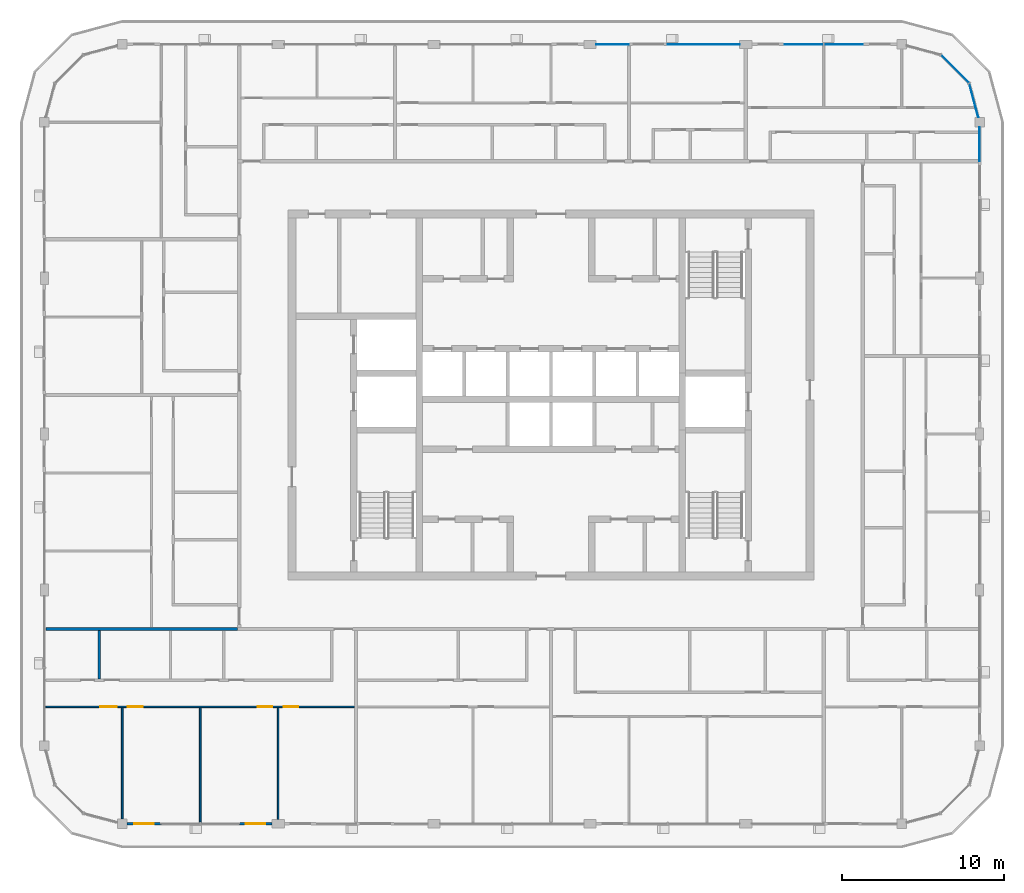
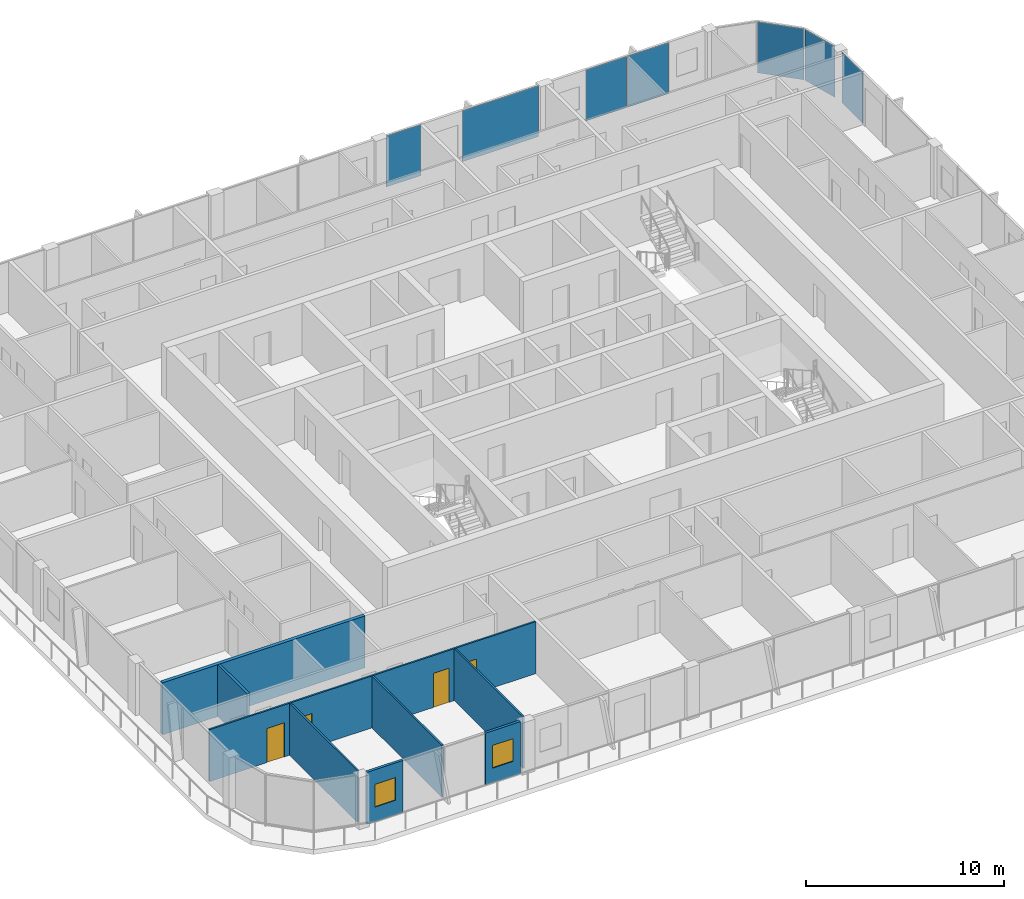
# One storey, part 8 of 21: 8 walls, 7 plates, 4 doors, 2 windows, 6 openings, 4 elements without a shape of their own.
"""IFC4 building model written with IfcOpenShell, lengths in metres."""

from ifc_helpers import new_model, si_unit, direction, frame, frame_2d, origin, origin_2d, place, context, subcontext, project, spatial, rectangle, extrude, material, layer, layer_set, type_object, element, fill, aggregate, save


model = new_model("IFC4")

# Units and contexts
model_context = context("Model", 3, precision=1e-05, world=origin(), true_north=direction((0.0, 1.0)))
body_context = subcontext(model_context, "Body", "Model", "MODEL_VIEW")
ifc_project = project(units=[si_unit("LENGTHUNIT", "METRE"), si_unit("AREAUNIT", "SQUARE_METRE"), si_unit("VOLUMEUNIT", "CUBIC_METRE"), si_unit("PLANEANGLEUNIT", "RADIAN"), si_unit("MASSUNIT", "GRAM", prefix="KILO")], contexts=[model_context])

# Site, building, storey
site_placement = place(None, origin())
site = spatial("IfcSite", under=ifc_project, at=site_placement, CompositionType="ELEMENT")
building_placement = place(site_placement, origin())
building = spatial("IfcBuilding", under=site, at=building_placement, Name="Madar Terraces", CompositionType="ELEMENT")
storey_placement = place(building_placement, frame((0.0, 0.0, 272.10009765625)))
storey = spatial("IfcBuildingStorey", under=building, at=storey_placement, Name="L71", CompositionType="ELEMENT", Elevation=272.10009765625)

# Curtain wall, plate
ifc_material_1 = material(Name="Glass, ceramic frit dark grey, with black aluminium frame", Category="aluminium")
ifc_layer_1 = layer(ifc_material_1, 0.199951171875)
ifc_layer_set_1 = layer_set([ifc_layer_1], Name="Facade curtain wall, fritted glass")
curtain_wall_type = type_object("IfcCurtainWallType", Name="Facade curtain wall, fritted glass", PredefinedType="NOTDEFINED", material=ifc_layer_set_1)
curtain_wall_1_placement = place(storey_placement, origin())
curtain_wall_1 = element("IfcCurtainWall", 1, at=curtain_wall_1_placement, inside=storey, type_object=curtain_wall_type, Name="Outer skin curtain wall east bay 4", PredefinedType="NOTDEFINED")
ifc_material_2 = material(Name="Glass, ceramic frit dark grey", Category="glass")
ifc_layer_2 = layer(ifc_material_2, 0.028076171875)
ifc_layer_set_2 = layer_set([ifc_layer_2], Name="Facade glass panel 28")
plate_type = type_object("IfcPlateType", Name="Facade glass panel 28", PredefinedType="CURTAIN_PANEL", material=ifc_layer_set_2)
plate_1_placement = place(storey_placement, frame((57.60009765625, 41.85009765625, 0.0), z_axis=(0.0, 0.0, 1.0), x_axis=(0.0, 1.0, 0.0)))
plate_1 = element("IfcPlate", 2, at=plate_1_placement, type_object=plate_type, Name="Panel 2", PredefinedType="CURTAIN_PANEL", context=body_context, shape_type="SweptSolid", body=[
    extrude(rectangle(XDim=2.10009765625, YDim=0.028076171875, at=origin_2d()), origin(), (0.0, 0.0, 1.0), 3.139892578125),
])
aggregate(curtain_wall_1, [plate_1])

# Curtain wall, plates
curtain_wall_2_placement = place(storey_placement, origin())
curtain_wall_2 = element("IfcCurtainWall", 3, at=curtain_wall_2_placement, inside=storey, type_object=curtain_wall_type, Name="Outer skin curtain wall north bay 1", PredefinedType="NOTDEFINED")
plate_2_placement = place(storey_placement, frame((49.215087890625, 48.0, 0.0), z_axis=(0.0, 0.0, 1.0), x_axis=(-1.0, 0.0, 0.0)))
plate_2 = element("IfcPlate", 4, at=plate_2_placement, type_object=plate_type, Name="Panel 1", PredefinedType="CURTAIN_PANEL", context=body_context, shape_type="SweptSolid", body=[
    extrude(rectangle(XDim=2.3701171875, YDim=0.028076171875, at=origin_2d()), origin(), (0.0, 0.0, 1.0), 3.139892578125),
])
plate_3_placement = place(storey_placement, frame((46.784912109375, 48.0, 0.0), z_axis=(0.0, 0.0, 1.0), x_axis=(-1.0, 0.0, 0.0)))
plate_3 = element("IfcPlate", 5, at=plate_3_placement, type_object=plate_type, Name="Panel 2", PredefinedType="CURTAIN_PANEL", context=body_context, shape_type="SweptSolid", body=[
    extrude(rectangle(XDim=2.3701171875, YDim=0.028076171875, at=origin_2d()), origin(), (0.0, 0.0, 1.0), 3.139892578125),
])
aggregate(curtain_wall_2, [plate_2, plate_3])

curtain_wall_3_placement = place(storey_placement, origin())
curtain_wall_3 = element("IfcCurtainWall", 6, at=curtain_wall_3_placement, inside=storey, type_object=curtain_wall_type, Name="Outer skin curtain wall north bay 2", PredefinedType="NOTDEFINED")
plate_4_placement = place(storey_placement, frame((40.612548828125, 48.0, 0.0), z_axis=(0.0, 0.0, 1.0), x_axis=(-1.0, 0.0, 0.0)))
plate_4 = element("IfcPlate", 7, at=plate_4_placement, type_object=plate_type, Name="Panel 1", PredefinedType="CURTAIN_PANEL", context=body_context, shape_type="SweptSolid", body=[
    extrude(rectangle(XDim=4.425048828125, YDim=0.028076171875, at=origin_2d()), origin(), (0.0, 0.0, 1.0), 3.139892578125),
])
plate_5_placement = place(storey_placement, frame((34.987548828125, 48.0, 0.0), z_axis=(0.0, 0.0, 1.0), x_axis=(-1.0, 0.0, 0.0)))
plate_5 = element("IfcPlate", 8, at=plate_5_placement, type_object=plate_type, Name="Panel 2", PredefinedType="CURTAIN_PANEL", context=body_context, shape_type="SweptSolid", body=[
    extrude(rectangle(XDim=2.02490234375, YDim=0.028076171875, at=origin_2d()), origin(), (0.0, 0.0, 1.0), 3.139892578125),
])
aggregate(curtain_wall_3, [plate_4, plate_5])

curtain_wall_4_placement = place(storey_placement, origin())
curtain_wall_4 = element("IfcCurtainWall", 9, at=curtain_wall_4_placement, inside=storey, type_object=curtain_wall_type, Name="Outer skin curtain wall north-east corner", PredefinedType="NOTDEFINED")
plate_6_placement = place(storey_placement, frame((57.2421875, 44.535400390625, 0.0), z_axis=(0.0, 0.0, 1.0), x_axis=(-0.258819021888, 0.965925832509, 0.0)))
plate_6 = element("IfcPlate", 10, at=plate_6_placement, type_object=plate_type, Name="Panel 1", PredefinedType="CURTAIN_PANEL", context=body_context, shape_type="SweptSolid", body=[
    extrude(rectangle(XDim=2.14404296875, YDim=0.028076171875, at=origin_2d()), origin(), (0.0, 0.0, 1.0), 3.139892578125),
])
plate_7_placement = place(storey_placement, frame((56.078369140625, 46.478515625, 0.0), z_axis=(0.0, 0.0, 1.0), x_axis=(-0.707106781187, 0.707106781187, 0.0)))
plate_7 = element("IfcPlate", 11, at=plate_7_placement, type_object=plate_type, Name="Panel 2", PredefinedType="CURTAIN_PANEL", context=body_context, shape_type="SweptSolid", body=[
    extrude(rectangle(XDim=2.424560546875, YDim=0.028076171875, at=origin_2d()), origin(), (0.0, 0.0, 1.0), 3.139892578125),
])
aggregate(curtain_wall_4, [plate_6, plate_7])

# Wall, opening, window
ifc_material_3 = material(Name="Aluminium composite panel, black, over insulated backing", Category="aluminium")
ifc_layer_3 = layer(ifc_material_3, 0.14990234375)
ifc_layer_set_3 = layer_set([ifc_layer_3], Name="Facade bay panel 150")
wall_type_1 = type_object("IfcWallType", Name="Facade bay panel 150", PredefinedType="SOLIDWALL", material=ifc_layer_set_3)
wall_1_placement = place(storey_placement, frame((5.10009765625, 0.0, 0.0), z_axis=(0.0, 0.0, 1.0), x_axis=(1.0, 0.0, 0.0)))
wall_1 = element("IfcWall", 12, at=wall_1_placement, inside=storey, type_object=wall_type_1, Name="Facade bay panel", PredefinedType="SOLIDWALL", context=body_context, shape_type="SweptSolid", body=[
    extrude(rectangle(XDim=2.099853515625, YDim=0.14990234375, at=frame_2d((1.0498046875, 0.0))), origin(), (0.0, 0.0, 1.0), 3.199951171875),
])
opening_1_placement = place(wall_1_placement, frame((0.449951171875, 0.0, 0.89990234375)))
opening_1 = element("IfcOpeningElement", 13, at=opening_1_placement, cuts=wall_1, Name="Opening W1", PredefinedType="OPENING", context=body_context, shape_type="SweptSolid", body=[
    extrude(rectangle(XDim=1.199951171875, YDim=1.39990234375, at=frame_2d((0.60009765625, 0.699951171875))), frame((0.0, 0.0849609375, 0.0), z_axis=(0.0, -1.0, 0.0), x_axis=(1.0, 0.0, 0.0)), (0.0, 0.0, 1.0), 0.169921875),
])
ifc_material_4 = material(Name="Glass, clear, with black aluminium frame", Category="aluminium")
window_type = type_object("IfcWindowType", Name="Vent window 1200 x 1400", PartitioningType="SINGLE_PANEL", PredefinedType="WINDOW", material=ifc_material_4)
window_1_placement = place(opening_1_placement, origin())
window_1 = element("IfcWindow", 14, at=window_1_placement, inside=storey, type_object=window_type, Name="Operable vent window", OverallHeight=1.39990234375, OverallWidth=1.199951171875, PartitioningType="SINGLE_PANEL", PredefinedType="WINDOW", context=body_context, shape_type="SweptSolid", body=[
    extrude(rectangle(XDim=1.199951171875, YDim=1.39990234375, at=frame_2d((0.60009765625, 0.699951171875))), frame((0.0, 0.030029296875, 0.0), z_axis=(0.0, -1.0, 0.0), x_axis=(1.0, 0.0, 0.0)), (0.0, 0.0, 1.0), 0.06005859375),
])
fill(opening_1, window_1)

wall_2_placement = place(storey_placement, frame((12.0, 0.0, 0.0), z_axis=(0.0, 0.0, 1.0), x_axis=(1.0, 0.0, 0.0)))
wall_2 = element("IfcWall", 15, at=wall_2_placement, inside=storey, type_object=wall_type_1, Name="Facade bay panel", PredefinedType="SOLIDWALL", context=body_context, shape_type="SweptSolid", body=[
    extrude(rectangle(XDim=2.02490234375, YDim=0.14990234375, at=frame_2d((1.012451171875, 0.0))), origin(), (0.0, 0.0, 1.0), 3.199951171875),
])
opening_2_placement = place(wall_2_placement, frame((0.41259765625, 0.0, 0.89990234375)))
opening_2 = element("IfcOpeningElement", 16, at=opening_2_placement, cuts=wall_2, Name="Opening W1", PredefinedType="OPENING", context=body_context, shape_type="SweptSolid", body=[
    extrude(rectangle(XDim=1.199951171875, YDim=1.39990234375, at=frame_2d((0.60009765625, 0.699951171875))), frame((0.0, 0.0849609375, 0.0), z_axis=(0.0, -1.0, 0.0), x_axis=(1.0, 0.0, 0.0)), (0.0, 0.0, 1.0), 0.169921875),
])
window_2_placement = place(opening_2_placement, origin())
window_2 = element("IfcWindow", 17, at=window_2_placement, inside=storey, type_object=window_type, Name="Operable vent window", OverallHeight=1.39990234375, OverallWidth=1.199951171875, PartitioningType="SINGLE_PANEL", PredefinedType="WINDOW", context=body_context, shape_type="SweptSolid", body=[
    extrude(rectangle(XDim=1.199951171875, YDim=1.39990234375, at=frame_2d((0.60009765625, 0.699951171875))), frame((0.0, 0.030029296875, 0.0), z_axis=(0.0, -1.0, 0.0), x_axis=(1.0, 0.0, 0.0)), (0.0, 0.0, 1.0), 0.06005859375),
])
fill(opening_2, window_2)

# Walls
ifc_material_5 = material(Name="Gypsum board on steel studs", Category="steel")
ifc_layer_4 = layer(ifc_material_5, 0.10009765625)
ifc_layer_set_4 = layer_set([ifc_layer_4], Name="Flat partition 100")
wall_type_2 = type_object("IfcWallType", Name="Flat partition 100", PredefinedType="PARTITIONING", material=ifc_layer_set_4)
wall_3_placement = place(storey_placement, frame((14.39990234375, 7.14990234375, 0.0), z_axis=(0.0, 0.0, 1.0), x_axis=(0.0, -1.0, 0.0)))
element("IfcWall", 18, at=wall_3_placement, inside=storey, type_object=wall_type_2, Name="Flat partition 100", PredefinedType="PARTITIONING", context=body_context, shape_type="SweptSolid", body=[
    extrude(rectangle(XDim=6.89990234375, YDim=0.10009765625, at=frame_2d((3.449951171875, 0.0))), origin(), (0.0, 0.0, 1.0), 3.199951171875),
])
wall_4_placement = place(storey_placement, frame((9.60009765625, 7.14990234375, 0.0), z_axis=(0.0, 0.0, 1.0), x_axis=(0.0, -1.0, 0.0)))
element("IfcWall", 19, at=wall_4_placement, inside=storey, type_object=wall_type_2, Name="Flat partition 100", PredefinedType="PARTITIONING", context=body_context, shape_type="SweptSolid", body=[
    extrude(rectangle(XDim=7.0498046875, YDim=0.10009765625, at=frame_2d((3.52490234375, 0.0))), origin(), (0.0, 0.0, 1.0), 3.199951171875),
])
wall_5_placement = place(storey_placement, frame((4.800048828125, 7.14990234375, 0.0), z_axis=(0.0, 0.0, 1.0), x_axis=(0.0, -1.0, 0.0)))
element("IfcWall", 20, at=wall_5_placement, inside=storey, type_object=wall_type_2, Name="Flat partition 100", PredefinedType="PARTITIONING", context=body_context, shape_type="SweptSolid", body=[
    extrude(rectangle(XDim=6.849853515625, YDim=0.10009765625, at=frame_2d((3.4248046875, 0.0))), origin(), (0.0, 0.0, 1.0), 3.199951171875),
])

# Wall, openings, doors
wall_6_placement = place(storey_placement, frame((19.10009765625, 7.199951171875, 0.0), z_axis=(0.0, 0.0, 1.0), x_axis=(-1.0, 0.0, 0.0)))
wall_6 = element("IfcWall", 21, at=wall_6_placement, inside=storey, type_object=wall_type_2, Name="Flat partition 100", PredefinedType="PARTITIONING", context=body_context, shape_type="SweptSolid", body=[
    extrude(rectangle(XDim=19.0, YDim=0.10009765625, at=frame_2d((9.5, 0.0))), origin(), (0.0, 0.0, 1.0), 3.199951171875),
])
opening_3_placement = place(wall_6_placement, frame((3.449951171875, 0.0, 0.0)))
opening_3 = element("IfcOpeningElement", 22, at=opening_3_placement, cuts=wall_6, Name="Opening D2", PredefinedType="OPENING", context=body_context, shape_type="SweptSolid", body=[
    extrude(rectangle(XDim=0.89990234375, YDim=2.10009765625, at=frame_2d((0.449951171875, 1.050048828125))), frame((0.0, 0.06005859375, 0.0), z_axis=(0.0, -1.0, 0.0), x_axis=(1.0, 0.0, 0.0)), (0.0, 0.0, 1.0), 0.1201171875),
])
opening_4_placement = place(wall_6_placement, frame((5.050048828125, 0.0, 0.0)))
opening_4 = element("IfcOpeningElement", 23, at=opening_4_placement, cuts=wall_6, Name="Opening D2", PredefinedType="OPENING", context=body_context, shape_type="SweptSolid", body=[
    extrude(rectangle(XDim=0.89990234375, YDim=2.10009765625, at=frame_2d((0.449951171875, 1.050048828125))), frame((0.0, 0.06005859375, 0.0), z_axis=(0.0, -1.0, 0.0), x_axis=(1.0, 0.0, 0.0)), (0.0, 0.0, 1.0), 0.1201171875),
])
opening_5_placement = place(wall_6_placement, frame((13.050048828125, 0.0, 0.0)))
opening_5 = element("IfcOpeningElement", 24, at=opening_5_placement, cuts=wall_6, Name="Opening D2", PredefinedType="OPENING", context=body_context, shape_type="SweptSolid", body=[
    extrude(rectangle(XDim=0.89990234375, YDim=2.10009765625, at=frame_2d((0.449951171875, 1.050048828125))), frame((0.0, 0.06005859375, 0.0), z_axis=(0.0, -1.0, 0.0), x_axis=(1.0, 0.0, 0.0)), (0.0, 0.0, 1.0), 0.1201171875),
])
opening_6_placement = place(wall_6_placement, frame((14.64990234375, 0.0, 0.0)))
opening_6 = element("IfcOpeningElement", 25, at=opening_6_placement, cuts=wall_6, Name="Opening D3", PredefinedType="OPENING", context=body_context, shape_type="SweptSolid", body=[
    extrude(rectangle(XDim=1.0, YDim=2.10009765625, at=frame_2d((0.5, 1.050048828125))), frame((0.0, 0.06005859375, 0.0), z_axis=(0.0, -1.0, 0.0), x_axis=(1.0, 0.0, 0.0)), (0.0, 0.0, 1.0), 0.1201171875),
])
ifc_material_6 = material(Name="Timber door leaf", Category="wood")
door_type_1 = type_object("IfcDoorType", Name="Flat living room door 1000", OperationType="NOTDEFINED", PredefinedType="DOOR", material=ifc_material_6)
door_1_placement = place(opening_6_placement, origin())
door_1 = element("IfcDoor", 26, at=door_1_placement, inside=storey, type_object=door_type_1, Name="Flat living room door 1000", OperationType="SINGLE_SWING_LEFT", OverallHeight=2.10009765625, OverallWidth=1.0, PredefinedType="DOOR", context=body_context, shape_type="SweptSolid", body=[
    extrude(rectangle(XDim=1.0, YDim=2.10009765625, at=frame_2d((0.5, 1.050048828125))), frame((0.0, 0.02490234375, 0.0), z_axis=(0.0, -1.0, 0.0), x_axis=(1.0, 0.0, 0.0)), (0.0, 0.0, 1.0), 0.050048828125),
])
fill(opening_6, door_1)
ifc_material_7 = material(Name="Timber door leaf", Category="wood")
door_type_2 = type_object("IfcDoorType", Name="Flat room door 900", OperationType="NOTDEFINED", PredefinedType="DOOR", material=ifc_material_7)
door_2_placement = place(opening_3_placement, origin())
door_2 = element("IfcDoor", 27, at=door_2_placement, inside=storey, type_object=door_type_2, Name="Flat room door 900", OperationType="SINGLE_SWING_RIGHT", OverallHeight=2.10009765625, OverallWidth=0.89990234375, PredefinedType="DOOR", context=body_context, shape_type="SweptSolid", body=[
    extrude(rectangle(XDim=0.89990234375, YDim=2.10009765625, at=frame_2d((0.449951171875, 1.050048828125))), frame((0.0, 0.02490234375, 0.0), z_axis=(0.0, -1.0, 0.0), x_axis=(1.0, 0.0, 0.0)), (0.0, 0.0, 1.0), 0.050048828125),
])
fill(opening_3, door_2)
door_3_placement = place(opening_4_placement, origin())
door_3 = element("IfcDoor", 28, at=door_3_placement, inside=storey, type_object=door_type_2, Name="Flat room door 900", OperationType="SINGLE_SWING_LEFT", OverallHeight=2.10009765625, OverallWidth=0.89990234375, PredefinedType="DOOR", context=body_context, shape_type="SweptSolid", body=[
    extrude(rectangle(XDim=0.89990234375, YDim=2.10009765625, at=frame_2d((0.449951171875, 1.050048828125))), frame((0.0, 0.02490234375, 0.0), z_axis=(0.0, -1.0, 0.0), x_axis=(1.0, 0.0, 0.0)), (0.0, 0.0, 1.0), 0.050048828125),
])
fill(opening_4, door_3)
door_4_placement = place(opening_5_placement, origin())
door_4 = element("IfcDoor", 29, at=door_4_placement, inside=storey, type_object=door_type_2, Name="Flat room door 900", OperationType="SINGLE_SWING_RIGHT", OverallHeight=2.10009765625, OverallWidth=0.89990234375, PredefinedType="DOOR", context=body_context, shape_type="SweptSolid", body=[
    extrude(rectangle(XDim=0.89990234375, YDim=2.10009765625, at=frame_2d((0.449951171875, 1.050048828125))), frame((0.0, 0.02490234375, 0.0), z_axis=(0.0, -1.0, 0.0), x_axis=(1.0, 0.0, 0.0)), (0.0, 0.0, 1.0), 0.050048828125),
])
fill(opening_5, door_4)

# Walls
ifc_material_8 = material(Name="Lightweight blockwork", Category="masonry")
ifc_layer_5 = layer(ifc_material_8, 0.199951171875)
ifc_layer_set_5 = layer_set([ifc_layer_5], Name="Flat party and entrance wall 200")
wall_type_3 = type_object("IfcWallType", Name="Flat party and entrance wall 200", PredefinedType="PARTITIONING", material=ifc_layer_set_5)
wall_7_placement = place(storey_placement, frame((0.10009765625, 12.0, 0.0), z_axis=(0.0, 0.0, 1.0), x_axis=(1.0, 0.0, 0.0)))
element("IfcWall", 30, at=wall_7_placement, inside=storey, type_object=wall_type_3, Name="Flat party and entrance wall 200", PredefinedType="PARTITIONING", context=body_context, shape_type="SweptSolid", body=[
    extrude(rectangle(XDim=11.7998046875, YDim=0.199951171875, at=frame_2d((5.89990234375, 0.0))), origin(), (0.0, 0.0, 1.0), 3.199951171875),
])
ifc_material_9 = material(Name="Lightweight blockwork", Category="masonry")
ifc_layer_6 = layer(ifc_material_9, 0.14990234375)
ifc_layer_set_6 = layer_set([ifc_layer_6], Name="Flat wet-room partition 150")
wall_type_4 = type_object("IfcWallType", Name="Flat wet-room partition 150", PredefinedType="PARTITIONING", material=ifc_layer_set_6)
wall_8_placement = place(storey_placement, frame((3.385986328125, 11.89990234375, 0.0), z_axis=(0.0, 0.0, 1.0), x_axis=(0.0, -1.0, 0.0)))
element("IfcWall", 31, at=wall_8_placement, inside=storey, type_object=wall_type_4, Name="Flat wet-room partition 150", PredefinedType="PARTITIONING", context=body_context, shape_type="SweptSolid", body=[
    extrude(rectangle(XDim=2.974853515625, YDim=0.14990234375, at=frame_2d((1.4873046875, 0.0))), origin(), (0.0, 0.0, 1.0), 3.199951171875),
])

save(model, "model.ifc")
